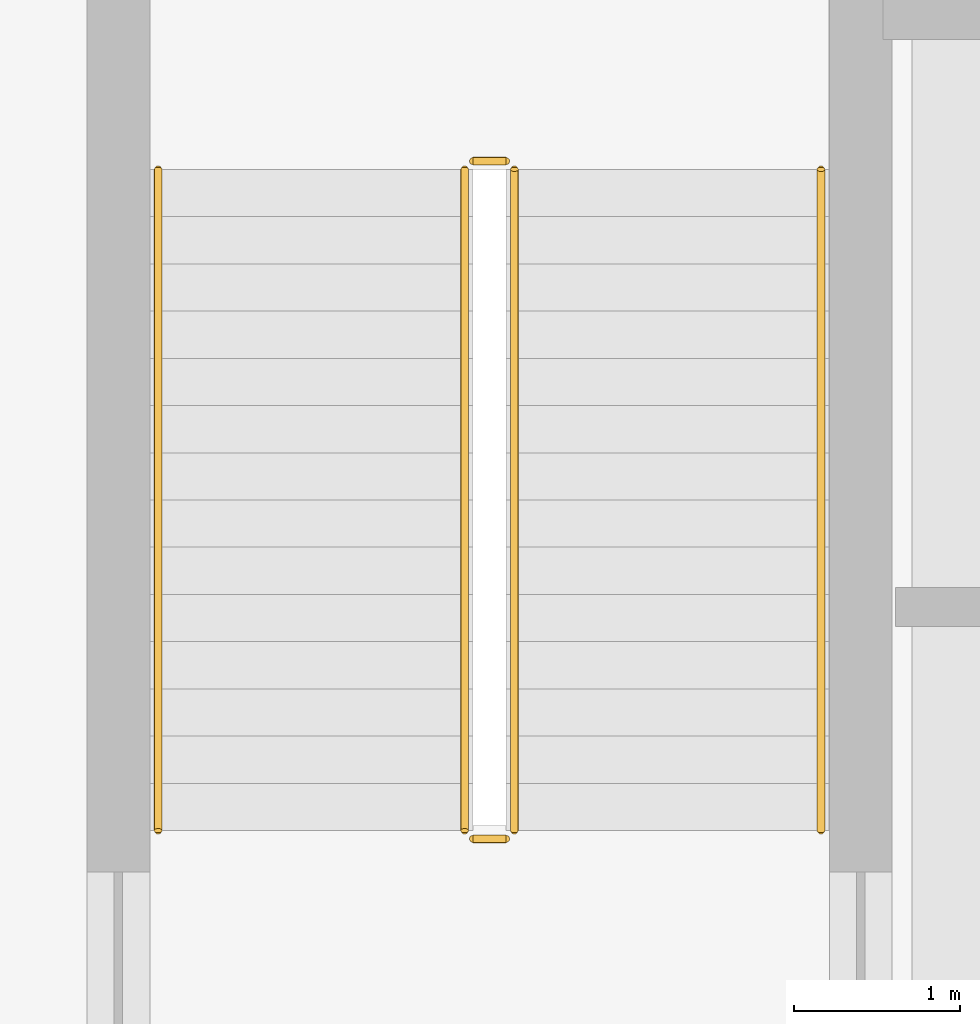
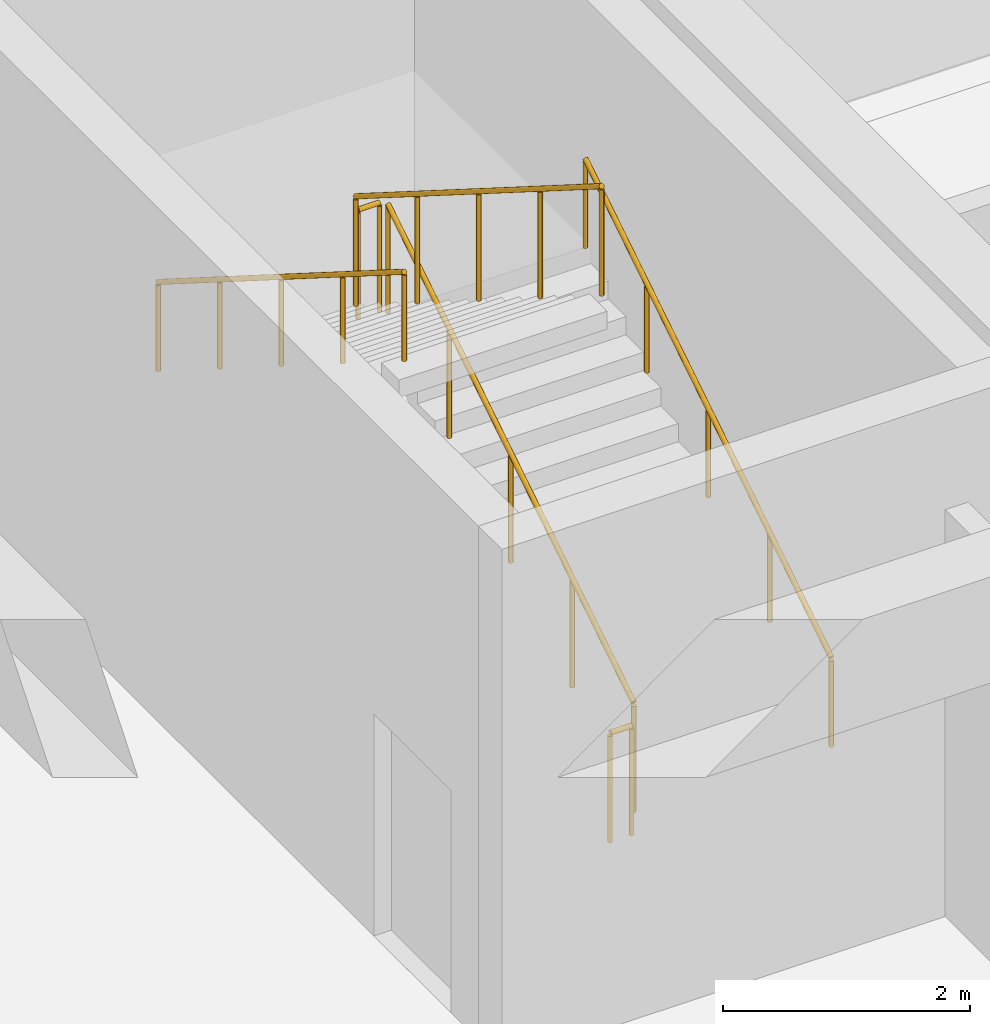
# One storey, part 71 of 74: 6 railings.
"""IFC4 building model written with IfcOpenShell, lengths in metres."""

from ifc_helpers import new_model, si_unit, direction, frame, origin, origin_2d, place, context, subcontext, project, spatial, circle, extrude, material, type_object, element, save


model = new_model("IFC4")

# Units and contexts
model_context = context("Model", 3, precision=1e-05, world=origin(), true_north=direction((0.0, 1.0)))
body_context = subcontext(model_context, "Body", "Model", "MODEL_VIEW")
ifc_project = project(units=[si_unit("LENGTHUNIT", "METRE"), si_unit("AREAUNIT", "SQUARE_METRE"), si_unit("VOLUMEUNIT", "CUBIC_METRE"), si_unit("PLANEANGLEUNIT", "RADIAN"), si_unit("MASSUNIT", "GRAM", prefix="KILO")], contexts=[model_context])

# Site, building, storey
site_placement = place(None, origin())
site = spatial("IfcSite", under=ifc_project, at=site_placement, CompositionType="ELEMENT")
building_placement = place(site_placement, origin())
building = spatial("IfcBuilding", under=site, at=building_placement, Name="Cendralis Terraced Arcade", CompositionType="ELEMENT")
storey_placement = place(building_placement, origin())
storey = spatial("IfcBuildingStorey", under=building, at=storey_placement, Name="L00", CompositionType="ELEMENT", Elevation=0.0)

# Railings
ifc_material = material(Name="Brushed stainless steel AISI 316", Category="steel")
railing_type_1 = type_object("IfcRailingType", Name="RL-STAIR-GUARD-1100", PredefinedType="GUARDRAIL", material=ifc_material)
railing_1_placement = place(storey_placement, frame((154.5, 73.949951171875, 0.179931640625)))
element("IfcRailing", 1, at=railing_1_placement, inside=storey, type_object=railing_type_1, Name="L00 ST-06 stair guard 1", PredefinedType="GUARDRAIL", context=body_context, shape_type="SweptSolid", body=[
    extrude(circle(Radius=0.02392578125, at=origin_2d()), frame((0.0, 0.0, 1.076171875), z_axis=(0.0, 0.845486444383, 0.533996884227), x_axis=(-1.0, 0.0, 0.0)), (0.0, 0.0, 1.0), 4.71923828125),
    extrude(circle(Radius=0.02099609375, at=origin_2d()), origin(), (0.0, 0.0, 1.0), 1.052001953125),
    extrude(circle(Radius=0.02099609375, at=origin_2d()), frame((0.0, 0.99755859375, 0.6298828125)), (0.0, 0.0, 1.0), 1.052001953125),
    extrude(circle(Radius=0.02099609375, at=origin_2d()), frame((0.0, 1.9951171875, 1.260009765625)), (0.0, 0.0, 1.0), 1.052001953125),
    extrude(circle(Radius=0.02099609375, at=origin_2d()), frame((0.0, 2.992431640625, 1.89013671875)), (0.0, 0.0, 1.0), 1.052001953125),
    extrude(circle(Radius=0.02099609375, at=origin_2d()), frame((0.0, 3.989990234375, 2.52001953125)), (0.0, 0.0, 1.0), 1.052001953125),
])
railing_2_placement = place(storey_placement, frame((154.449951171875, 77.989990234375, 2.699951171875)))
element("IfcRailing", 2, at=railing_2_placement, inside=storey, type_object=railing_type_1, Name="L00 ST-06 stair guard 2", PredefinedType="GUARDRAIL", context=body_context, shape_type="SweptSolid", body=[
    extrude(circle(Radius=0.02392578125, at=origin_2d()), frame((0.0, 0.0, 1.076171875), z_axis=(-1.0, 0.0, 0.0), x_axis=(0.0, -1.0, 0.0)), (0.0, 0.0, 1.0), 0.199951171875),
    extrude(circle(Radius=0.02099609375, at=origin_2d()), origin(), (0.0, 0.0, 1.0), 1.052001953125),
    extrude(circle(Radius=0.02099609375, at=origin_2d()), frame((-0.199951171875, 0.0, 0.0)), (0.0, 0.0, 1.0), 1.052001953125),
])
railing_3_placement = place(storey_placement, frame((154.199951171875, 77.93994140625, 2.8798828125)))
element("IfcRailing", 3, at=railing_3_placement, inside=storey, type_object=railing_type_1, Name="L00 ST-06 stair guard 3", PredefinedType="GUARDRAIL", context=body_context, shape_type="SweptSolid", body=[
    extrude(circle(Radius=0.02392578125, at=origin_2d()), frame((0.0, 0.0, 1.076171875), z_axis=(0.0, -0.845486444383, 0.533996884227), x_axis=(1.0, 0.0, 0.0)), (0.0, 0.0, 1.0), 4.71923828125),
    extrude(circle(Radius=0.02099609375, at=origin_2d()), origin(), (0.0, 0.0, 1.0), 1.052001953125),
    extrude(circle(Radius=0.02099609375, at=origin_2d()), frame((0.0, -0.99755859375, 0.6298828125)), (0.0, 0.0, 1.0), 1.052001953125),
    extrude(circle(Radius=0.02099609375, at=origin_2d()), frame((0.0, -1.9951171875, 1.260009765625)), (0.0, 0.0, 1.0), 1.052001953125),
    extrude(circle(Radius=0.02099609375, at=origin_2d()), frame((0.0, -2.992431640625, 1.89013671875)), (0.0, 0.0, 1.0), 1.052001953125),
    extrude(circle(Radius=0.02099609375, at=origin_2d()), frame((0.0, -3.989990234375, 2.52001953125)), (0.0, 0.0, 1.0), 1.052001953125),
])
railing_4_placement = place(storey_placement, frame((154.449951171875, 73.89990234375, 0.0)))
element("IfcRailing", 4, at=railing_4_placement, inside=storey, type_object=railing_type_1, Name="L00 ST-06 stair guard 4", PredefinedType="GUARDRAIL", context=body_context, shape_type="SweptSolid", body=[
    extrude(circle(Radius=0.02392578125, at=origin_2d()), frame((0.0, 0.0, 1.076171875), z_axis=(-1.0, 0.0, 0.0), x_axis=(0.0, -1.0, 0.0)), (0.0, 0.0, 1.0), 0.199951171875),
    extrude(circle(Radius=0.02099609375, at=origin_2d()), origin(), (0.0, 0.0, 1.0), 1.052001953125),
    extrude(circle(Radius=0.02099609375, at=origin_2d()), frame((-0.199951171875, 0.0, 0.0)), (0.0, 0.0, 1.0), 1.052001953125),
])
railing_type_2 = type_object("IfcRailingType", Name="RL-STAIR-HAND-900", PredefinedType="HANDRAIL", material=ifc_material)
railing_5_placement = place(storey_placement, frame((156.35009765625, 73.949951171875, 0.179931640625)))
element("IfcRailing", 5, at=railing_5_placement, inside=storey, type_object=railing_type_2, Name="L00 ST-06 stair handrail 1", PredefinedType="HANDRAIL", context=body_context, shape_type="SweptSolid", body=[
    extrude(circle(Radius=0.02392578125, at=origin_2d()), frame((0.0, 0.0, 0.8759765625), z_axis=(0.0, 0.845486444383, 0.533996884227), x_axis=(-1.0, 0.0, 0.0)), (0.0, 0.0, 1.0), 4.71923828125),
    extrude(circle(Radius=0.02099609375, at=origin_2d()), origin(), (0.0, 0.0, 1.0), 0.851806640625),
    extrude(circle(Radius=0.02099609375, at=origin_2d()), frame((0.0, 0.99755859375, 0.6298828125)), (0.0, 0.0, 1.0), 0.851806640625),
    extrude(circle(Radius=0.02099609375, at=origin_2d()), frame((0.0, 1.9951171875, 1.260009765625)), (0.0, 0.0, 1.0), 0.851806640625),
    extrude(circle(Radius=0.02099609375, at=origin_2d()), frame((0.0, 2.992431640625, 1.89013671875)), (0.0, 0.0, 1.0), 0.851806640625),
    extrude(circle(Radius=0.02099609375, at=origin_2d()), frame((0.0, 3.989990234375, 2.52001953125)), (0.0, 0.0, 1.0), 0.851806640625),
])
railing_6_placement = place(storey_placement, frame((152.35009765625, 77.93994140625, 2.8798828125)))
element("IfcRailing", 6, at=railing_6_placement, inside=storey, type_object=railing_type_2, Name="L00 ST-06 stair handrail 2", PredefinedType="HANDRAIL", context=body_context, shape_type="SweptSolid", body=[
    extrude(circle(Radius=0.02392578125, at=origin_2d()), frame((0.0, 0.0, 0.8759765625), z_axis=(0.0, -0.845486444383, 0.533996884227), x_axis=(1.0, 0.0, 0.0)), (0.0, 0.0, 1.0), 4.71923828125),
    extrude(circle(Radius=0.02099609375, at=origin_2d()), origin(), (0.0, 0.0, 1.0), 0.851806640625),
    extrude(circle(Radius=0.02099609375, at=origin_2d()), frame((0.0, -0.99755859375, 0.6298828125)), (0.0, 0.0, 1.0), 0.851806640625),
    extrude(circle(Radius=0.02099609375, at=origin_2d()), frame((0.0, -1.9951171875, 1.260009765625)), (0.0, 0.0, 1.0), 0.851806640625),
    extrude(circle(Radius=0.02099609375, at=origin_2d()), frame((0.0, -2.992431640625, 1.89013671875)), (0.0, 0.0, 1.0), 0.851806640625),
    extrude(circle(Radius=0.02099609375, at=origin_2d()), frame((0.0, -3.989990234375, 2.52001953125)), (0.0, 0.0, 1.0), 0.851806640625),
])

save(model, "model.ifc")
